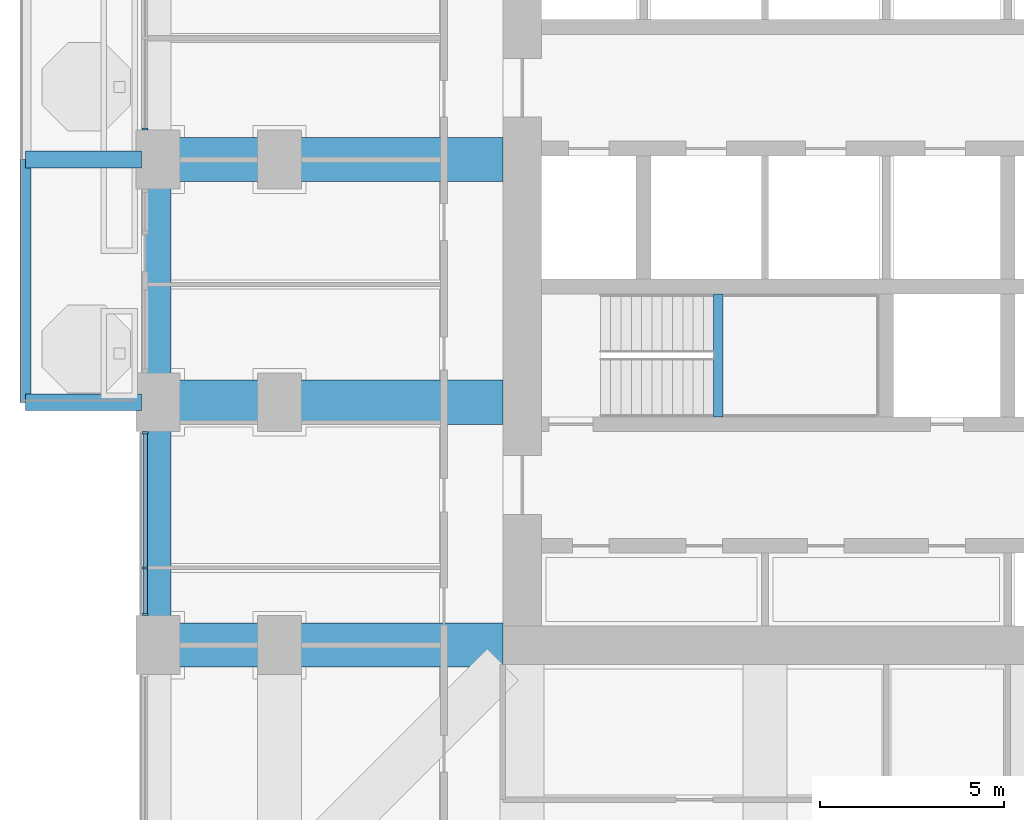
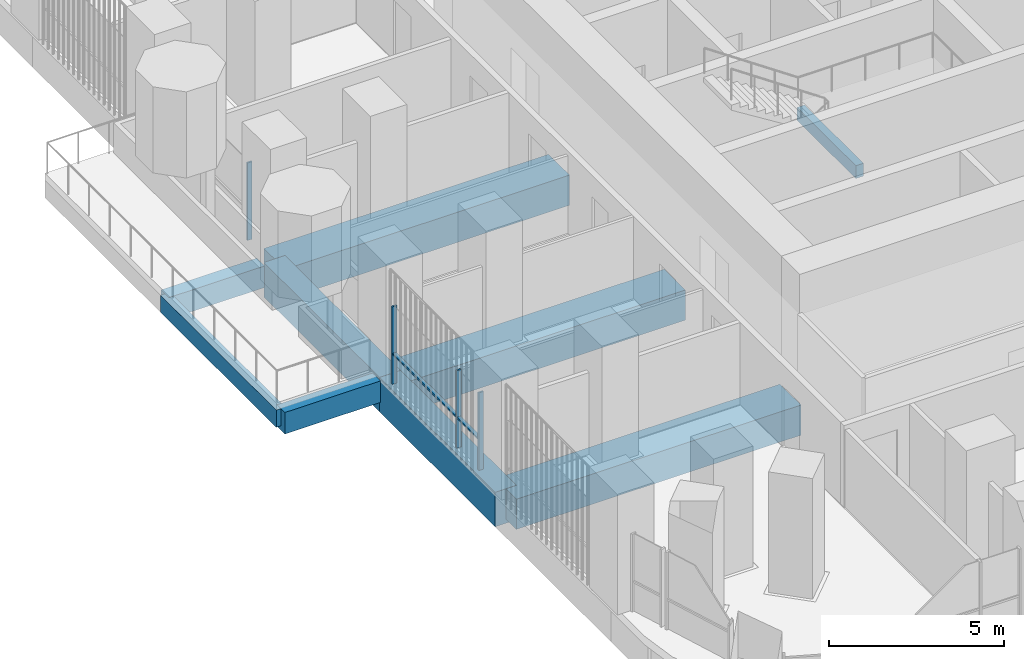
# One storey, part 4 of 23: 9 beams, 6 members, 2 elements without a shape of their own.
"""IFC4 building model written with IfcOpenShell, lengths in metres."""

from ifc_helpers import new_model, si_unit, direction, frame, origin, origin_2d, place, context, subcontext, project, spatial, rectangle, extrude, material, material_profile, profile_set, type_object, element, aggregate, save


model = new_model("IFC4")

# Units and contexts
model_context = context("Model", 3, precision=1e-05, world=origin(), true_north=direction((0.0, 1.0)))
body_context = subcontext(model_context, "Body", "Model", "MODEL_VIEW")
ifc_project = project(units=[si_unit("LENGTHUNIT", "METRE"), si_unit("AREAUNIT", "SQUARE_METRE"), si_unit("VOLUMEUNIT", "CUBIC_METRE"), si_unit("PLANEANGLEUNIT", "RADIAN"), si_unit("MASSUNIT", "GRAM", prefix="KILO")], contexts=[model_context])

# Site, building, storey
site_placement = place(None, origin())
site = spatial("IfcSite", under=ifc_project, at=site_placement, CompositionType="ELEMENT")
building_placement = place(site_placement, origin())
building = spatial("IfcBuilding", under=site, at=building_placement, Name="Cobogo Forest Laboratory Tower", CompositionType="ELEMENT")
storey_placement = place(building_placement, frame((0.0, 0.0, 103.199951171875)))
storey = spatial("IfcBuildingStorey", under=building, at=storey_placement, Name="L23", CompositionType="ELEMENT", Elevation=103.199951171875)

# Beams
ifc_material_1 = material(Name="Concrete HA-40 (C40/50)", Category="concrete")
ifc_material_profile_1 = material_profile(ifc_material_1, rectangle(XDim=0.449951171875, YDim=0.75, at=origin_2d()), Name="RC 450x750")
ifc_profile_set_1 = profile_set([ifc_material_profile_1], Name="Concrete HA-40 (C40/50)")
beam_type_1 = type_object("IfcBeamType", Name="Balcony cantilever beam 450x750", PredefinedType="BEAM", material=ifc_profile_set_1)
for number, where, z_axis, x_axis, name in (
    (1, (2.85009765625, 19.800048828125, -0.625), (-1.0, 0.0, 0.0), (0.0, -1.0, 0.0), "CB1 BAL-W1-C1 L23"),
    (2, (2.85009765625, 26.39990234375, -0.625), (-1.0, 0.0, 0.0), (0.0, -1.0, 0.0), "CB1 BAL-W1-C2 L23"),
):
    element("IfcBeam", number, at=place(storey_placement, frame(where, z_axis=z_axis, x_axis=x_axis)), inside=storey, type_object=beam_type_1, Name=name, PredefinedType="BEAM", context=body_context, shape_type="SweptSolid", body=[
        extrude(rectangle(XDim=0.449951171875, YDim=0.75, at=origin_2d()), origin(), (0.0, 0.0, 1.0), 3.150146484375),
    ])
ifc_material_profile_2 = material_profile(ifc_material_1, rectangle(XDim=0.300048828125, YDim=0.60009765625, at=origin_2d()), Name="RC 300x600")
ifc_profile_set_2 = profile_set([ifc_material_profile_2], Name="Concrete HA-40 (C40/50)")
beam_type_2 = type_object("IfcBeamType", Name="Balcony edge beam 300x600", PredefinedType="BEAM", material=ifc_profile_set_2)
beam_1_placement = place(storey_placement, frame((-0.300048828125, 19.800048828125, -0.550048828125), z_axis=(0.0, 1.0, 0.0), x_axis=(-1.0, 0.0, 0.0)))
element("IfcBeam", 3, at=beam_1_placement, inside=storey, type_object=beam_type_2, Name="BB1 BAL-W1-T1 L23", PredefinedType="BEAM", context=body_context, shape_type="SweptSolid", body=[
    extrude(rectangle(XDim=0.300048828125, YDim=0.60009765625, at=origin_2d()), origin(), (0.0, 0.0, 1.0), 6.599853515625),
])
ifc_material_profile_3 = material_profile(ifc_material_1, rectangle(XDim=0.25, YDim=0.449951171875, at=origin_2d()), Name="RC 250x450")
ifc_profile_set_3 = profile_set([ifc_material_profile_3], Name="Concrete HA-40 (C40/50)")
beam_type_3 = type_object("IfcBeamType", Name="LB1 landing beam 250x450", PredefinedType="BEAM", material=ifc_profile_set_3)
beam_2_placement = place(storey_placement, frame((18.530029296875, 19.39990234375, 1.675048828125), z_axis=(0.0, 1.0, 0.0), x_axis=(-1.0, 0.0, 0.0)))
element("IfcBeam", 4, at=beam_2_placement, inside=storey, type_object=beam_type_3, Name="Landing beam ST1 L23", PredefinedType="BEAM", context=body_context, shape_type="SweptSolid", body=[
    extrude(rectangle(XDim=0.25, YDim=0.449951171875, at=origin_2d()), origin(), (0.0, 0.0, 1.0), 3.35009765625),
])
ifc_material_profile_4 = material_profile(ifc_material_1, rectangle(XDim=1.199951171875, YDim=1.050048828125, at=origin_2d()), Name="RC 1200x1050")
ifc_profile_set_4 = profile_set([ifc_material_profile_4], Name="Concrete HA-40 (C40/50)")
beam_type_4 = type_object("IfcBeamType", Name="Laboratory floor wide beam 1200x1050", PredefinedType="BEAM", material=ifc_profile_set_4)
for number, where, z_axis, x_axis, name in (
    (5, (12.675048828125, 13.199951171875, -0.824951171875), (-1.0, 0.0, 0.0), (0.0, -1.0, 0.0), "RB1 R-C-W L23"),
    (6, (12.675048828125, 19.800048828125, -0.824951171875), (-1.0, 0.0, 0.0), (0.0, -1.0, 0.0), "RB1 R-D-W L23"),
    (7, (12.675048828125, 26.39990234375, -0.824951171875), (-1.0, 0.0, 0.0), (0.0, -1.0, 0.0), "RB1 R-E-W L23"),
):
    element("IfcBeam", number, at=place(storey_placement, frame(where, z_axis=z_axis, x_axis=x_axis)), inside=storey, type_object=beam_type_4, Name=name, PredefinedType="BEAM", context=body_context, shape_type="SweptSolid", body=[
        extrude(rectangle(XDim=1.199951171875, YDim=1.050048828125, at=origin_2d()), origin(), (0.0, 0.0, 1.0), 9.375),
    ])

# Curtain wall, member
ifc_material_2 = material(Name="Aluminium curtain wall", Category="aluminium")
curtain_wall_type = type_object("IfcCurtainWallType", Name="CW-1 unitised curtain wall, clear glazing, laboratory floors zones A and B", PredefinedType="USERDEFINED", material=ifc_material_2)
curtain_wall_1_placement = place(storey_placement, origin())
curtain_wall_1 = element("IfcCurtainWall", 8, at=curtain_wall_1_placement, inside=storey, type_object=curtain_wall_type, Name="Curtain wall 28 L23", ObjectType="UNITISED CURTAIN WALL", PredefinedType="USERDEFINED")
ifc_material_3 = material(Name="Aluminium mullion", Category="aluminium")
ifc_material_profile_5 = material_profile(ifc_material_3, rectangle(XDim=0.06005859375, YDim=0.159912109375, at=origin_2d()), Name="AL 60x160")
ifc_profile_set_5 = profile_set([ifc_material_profile_5], Name="Aluminium mullion")
member_type_1 = type_object("IfcMemberType", Name="MU-1 aluminium mullion 60x160", PredefinedType="MULLION", material=ifc_profile_set_5)
member_1_placement = place(storey_placement, frame((2.949951171875, 27.22998046875, 0.0), z_axis=(0.0, 0.0, 1.0), x_axis=(0.0, -1.0, 0.0)))
member_1 = element("IfcMember", 9, at=member_1_placement, type_object=member_type_1, Name="CW-1 mullion 3", PredefinedType="MULLION", context=body_context, shape_type="SweptSolid", body=[
    extrude(rectangle(XDim=0.06005859375, YDim=0.159912109375, at=origin_2d()), origin(), (0.0, 0.0, 1.0), 2.699951171875),
])
aggregate(curtain_wall_1, [member_1])

# Curtain wall, members
curtain_wall_2_placement = place(storey_placement, origin())
curtain_wall_2 = element("IfcCurtainWall", 10, at=curtain_wall_2_placement, inside=storey, type_object=curtain_wall_type, Name="Curtain wall 30 L23", ObjectType="UNITISED CURTAIN WALL", PredefinedType="USERDEFINED")
member_2_placement = place(storey_placement, frame((2.949951171875, 18.969970703125, 0.0), z_axis=(0.0, 0.0, 1.0), x_axis=(0.0, -1.0, 0.0)))
member_2 = element("IfcMember", 11, at=member_2_placement, type_object=member_type_1, Name="CW-1 mullion 1", PredefinedType="MULLION", context=body_context, shape_type="SweptSolid", body=[
    extrude(rectangle(XDim=0.06005859375, YDim=0.159912109375, at=origin_2d()), origin(), (0.0, 0.0, 1.0), 2.699951171875),
])
member_3_placement = place(storey_placement, frame((2.949951171875, 15.300048828125, 0.0), z_axis=(0.0, 0.0, 1.0), x_axis=(0.0, -1.0, 0.0)))
member_3 = element("IfcMember", 12, at=member_3_placement, type_object=member_type_1, Name="CW-1 mullion 2", PredefinedType="MULLION", context=body_context, shape_type="SweptSolid", body=[
    extrude(rectangle(XDim=0.06005859375, YDim=0.159912109375, at=origin_2d()), origin(), (0.0, 0.0, 1.0), 2.699951171875),
])
member_4_placement = place(storey_placement, frame((2.949951171875, 14.030029296875, 0.0), z_axis=(0.0, 0.0, 1.0), x_axis=(0.0, -1.0, 0.0)))
member_4 = element("IfcMember", 13, at=member_4_placement, type_object=member_type_1, Name="CW-1 mullion 3", PredefinedType="MULLION", context=body_context, shape_type="SweptSolid", body=[
    extrude(rectangle(XDim=0.06005859375, YDim=0.159912109375, at=origin_2d()), origin(), (0.0, 0.0, 1.0), 2.699951171875),
])

# Beams
ifc_material_profile_6 = material_profile(ifc_material_1, rectangle(XDim=0.699951171875, YDim=1.199951171875, at=origin_2d()), Name="RC 700x1200")
ifc_profile_set_6 = profile_set([ifc_material_profile_6], Name="Concrete HA-40 (C40/50)")
beam_type_5 = type_object("IfcBeamType", Name="Perimeter edge beam 700x1200", PredefinedType="BEAM", material=ifc_profile_set_6)
beam_3_placement = place(storey_placement, frame((3.300048828125, 13.199951171875, -0.89990234375), z_axis=(0.0, 1.0, 0.0), x_axis=(-1.0, 0.0, 0.0)))
element("IfcBeam", 14, at=beam_3_placement, inside=storey, type_object=beam_type_5, Name="EB1 E-W2 L23", PredefinedType="BEAM", context=body_context, shape_type="SweptSolid", body=[
    extrude(rectangle(XDim=0.699951171875, YDim=1.199951171875, at=origin_2d()), origin(), (0.0, 0.0, 1.0), 6.60009765625),
])
beam_4_placement = place(storey_placement, frame((3.300048828125, 19.800048828125, -0.89990234375), z_axis=(0.0, 1.0, 0.0), x_axis=(-1.0, 0.0, 0.0)))
element("IfcBeam", 15, at=beam_4_placement, inside=storey, type_object=beam_type_5, Name="EB1 E-W3 L23", PredefinedType="BEAM", context=body_context, shape_type="SweptSolid", body=[
    extrude(rectangle(XDim=0.699951171875, YDim=1.199951171875, at=origin_2d()), origin(), (0.0, 0.0, 1.0), 6.599853515625),
])

# Member
ifc_material_4 = material(Name="Aluminium transom", Category="aluminium")
ifc_material_profile_7 = material_profile(ifc_material_4, rectangle(XDim=0.1201171875, YDim=0.06005859375, at=origin_2d()), Name="AL 60x120")
ifc_profile_set_7 = profile_set([ifc_material_profile_7], Name="Aluminium transom")
member_type_2 = type_object("IfcMemberType", Name="TR-1 aluminium transom 60x120", PredefinedType="USERDEFINED", material=ifc_profile_set_7)
member_5_placement = place(storey_placement, frame((2.949951171875, 18.93994140625, 1.050048828125), z_axis=(0.0, -1.0, 0.0), x_axis=(1.0, 0.0, 0.0)))
member_5 = element("IfcMember", 16, at=member_5_placement, type_object=member_type_2, Name="CW-1 transom 1.1", ObjectType="TRANSOM", PredefinedType="USERDEFINED", context=body_context, shape_type="SweptSolid", body=[
    extrude(rectangle(XDim=0.1201171875, YDim=0.06005859375, at=origin_2d()), origin(), (0.0, 0.0, 1.0), 3.60986328125),
])

member_6_placement = place(storey_placement, frame((2.949951171875, 15.27001953125, 1.050048828125), z_axis=(0.0, -1.0, 0.0), x_axis=(1.0, 0.0, 0.0)))
member_6 = element("IfcMember", 17, at=member_6_placement, type_object=member_type_2, Name="CW-1 transom 2.1", ObjectType="TRANSOM", PredefinedType="USERDEFINED", context=body_context, shape_type="SweptSolid", body=[
    extrude(rectangle(XDim=0.1201171875, YDim=0.06005859375, at=origin_2d()), origin(), (0.0, 0.0, 1.0), 1.2099609375),
])

aggregate(curtain_wall_2, [member_2, member_3, member_4, member_5, member_6])

save(model, "model.ifc")
